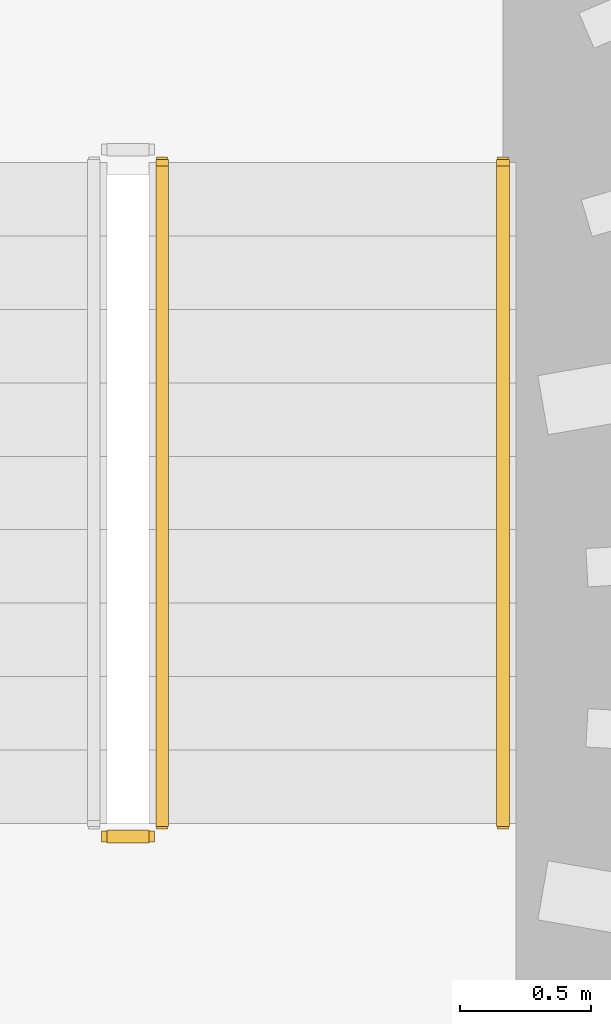
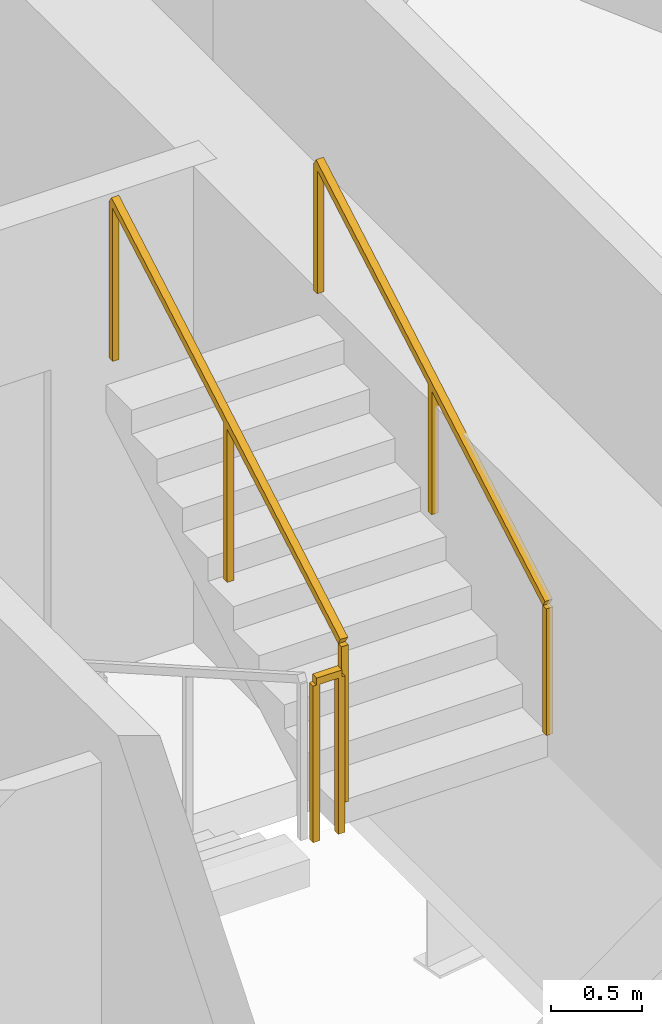
# One storey, part 12 of 14: 3 railings.
"""IFC4 building model written with IfcOpenShell, lengths in metres."""

from ifc_helpers import new_model, si_unit, direction, frame, origin, origin_2d, place, context, subcontext, project, spatial, rectangle, extrude, material, type_object, element, save


model = new_model("IFC4")

# Units and contexts
model_context = context("Model", 3, precision=1e-05, world=origin(), true_north=direction((0.0, 1.0)))
body_context = subcontext(model_context, "Body", "Model", "MODEL_VIEW")
ifc_project = project(units=[si_unit("LENGTHUNIT", "METRE"), si_unit("AREAUNIT", "SQUARE_METRE"), si_unit("VOLUMEUNIT", "CUBIC_METRE"), si_unit("PLANEANGLEUNIT", "RADIAN"), si_unit("MASSUNIT", "GRAM", prefix="KILO")], contexts=[model_context])

# Site, building, storey
site_placement = place(None, origin())
site = spatial("IfcSite", under=ifc_project, at=site_placement, CompositionType="ELEMENT")
building_placement = place(site_placement, origin())
building = spatial("IfcBuilding", under=site, at=building_placement, Name="Veldorim Arch Residences", CompositionType="ELEMENT")
storey_placement = place(building_placement, frame((0.0, 0.0, 123.360107421875)))
storey = spatial("IfcBuildingStorey", under=building, at=storey_placement, Name="L36", CompositionType="ELEMENT", Elevation=123.360107421875)

# Railings
ifc_material_1 = material(Name="Steel S355", Category="steel")
railing_type_1 = type_object("IfcRailingType", Name="Galvanised Steel Stair Safety Guardrail 1100", PredefinedType="GUARDRAIL", material=ifc_material_1)
railing_1_placement = place(storey_placement, frame((35.68994140625, 23.280029296875, 1.599853515625)))
element("IfcRailing", 1, at=railing_1_placement, inside=storey, type_object=railing_type_1, Name="L36 ST-2 stair guard 2", PredefinedType="GUARDRAIL", context=body_context, shape_type="SweptSolid", body=[
    extrude(rectangle(XDim=0.048095703125, YDim=0.048095703125, at=origin_2d()), frame((0.0, 0.0, 1.076171875), z_axis=(1.0, 0.0, 0.0), x_axis=(0.0, 1.0, 0.0)), (0.0, 0.0, 1.0), 0.16015625),
    extrude(rectangle(XDim=0.0419921875, YDim=0.0419921875, at=origin_2d()), origin(), (0.0, 0.0, 1.0), 1.052001953125),
    extrude(rectangle(XDim=0.0419921875, YDim=0.0419921875, at=origin_2d()), frame((0.16015625, 0.0, 0.0)), (0.0, 0.0, 1.0), 1.052001953125),
])
railing_2_placement = place(storey_placement, frame((35.89990234375, 23.330078125, 1.760009765625)))
element("IfcRailing", 2, at=railing_2_placement, inside=storey, type_object=railing_type_1, Name="L36 ST-2 stair guard 3", PredefinedType="GUARDRAIL", context=body_context, shape_type="SweptSolid", body=[
    extrude(rectangle(XDim=0.048095703125, YDim=0.048095703125, at=origin_2d()), frame((0.0, 0.0, 1.076171875), z_axis=(0.0, 0.868253494771, 0.496120820787), x_axis=(-1.0, 0.0, 0.0)), (0.0, 0.0, 1.0), 2.90234375),
    extrude(rectangle(XDim=0.0419921875, YDim=0.0419921875, at=origin_2d()), origin(), (0.0, 0.0, 1.0), 1.052001953125),
    extrude(rectangle(XDim=0.0419921875, YDim=0.0419921875, at=origin_2d()), frame((0.0, 1.260009765625, 0.719970703125)), (0.0, 0.0, 1.0), 1.052001953125),
    extrude(rectangle(XDim=0.0419921875, YDim=0.0419921875, at=origin_2d()), frame((0.0, 2.52001953125, 1.43994140625)), (0.0, 0.0, 1.0), 1.052001953125),
])
ifc_material_2 = material(Name="Stainless Steel", Category="steel")
railing_type_2 = type_object("IfcRailingType", Name="Tubular Steel Continuous Wall Handrail 900", PredefinedType="HANDRAIL", material=ifc_material_2)
railing_3_placement = place(storey_placement, frame((37.199951171875, 23.330078125, 1.760009765625)))
element("IfcRailing", 3, at=railing_3_placement, inside=storey, type_object=railing_type_2, Name="L36 ST-2 stair handrail 2", PredefinedType="HANDRAIL", context=body_context, shape_type="SweptSolid", body=[
    extrude(rectangle(XDim=0.048095703125, YDim=0.048095703125, at=origin_2d()), frame((0.0, 0.0, 0.8759765625), z_axis=(0.0, 0.868253494771, 0.496120820787), x_axis=(-1.0, 0.0, 0.0)), (0.0, 0.0, 1.0), 2.90234375),
    extrude(rectangle(XDim=0.0419921875, YDim=0.0419921875, at=origin_2d()), origin(), (0.0, 0.0, 1.0), 0.851806640625),
    extrude(rectangle(XDim=0.0419921875, YDim=0.0419921875, at=origin_2d()), frame((0.0, 1.260009765625, 0.719970703125)), (0.0, 0.0, 1.0), 0.851806640625),
    extrude(rectangle(XDim=0.0419921875, YDim=0.0419921875, at=origin_2d()), frame((0.0, 2.52001953125, 1.43994140625)), (0.0, 0.0, 1.0), 0.851806640625),
])

save(model, "model.ifc")
